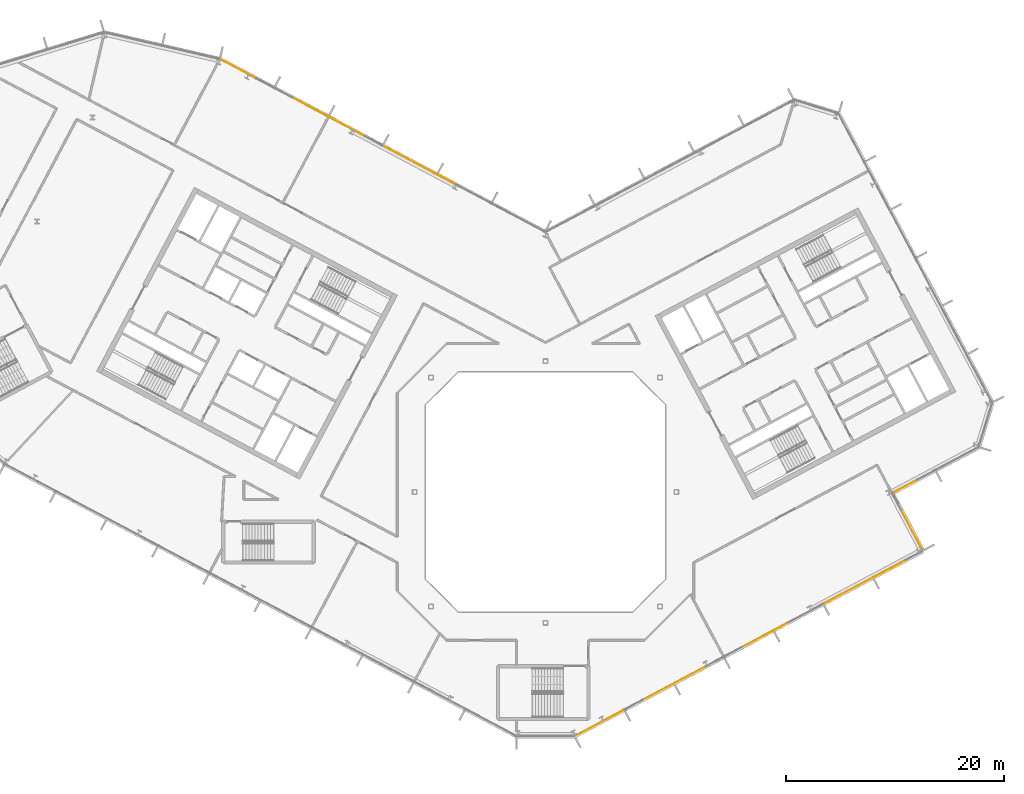
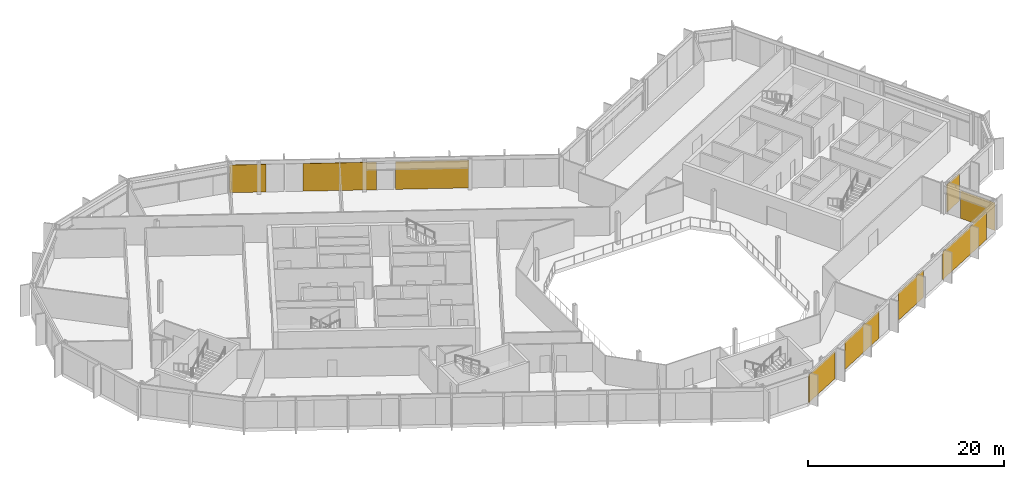
# One storey, part 24 of 26: 9 coverings, 4 elements without a shape of their own.
"""IFC4 building model written with IfcOpenShell, lengths in metres."""

import ifcopenshell
import ifcopenshell.guid

model = None  # the IFC model being written
_history = None  # IfcOwnerHistory: only IFC2X3 demands one
_inside = {}  # id of a spatial element -> (the spatial element, [elements in it])
_under = {}  # id of a project, library or spatial element -> (it, [spatial elements below it])
_declared = {}  # id of a project -> (the project, [libraries it declares])
_typed = {}  # id of a type object -> (the type object, [elements of that type])
_made_of = {}  # id of a material, layer set ... -> (it, [elements and type objects made of it])


def new_model(schema):
    """Start an empty IFC model of exactly this schema.

    Asked for "IFC4X3", IfcOpenShell would pick the latest addendum, in which some entities
    have other attributes; the version numbers below select the first issue.
    IFC2X3 requires an IfcOwnerHistory on every rooted entity: one is made here for all.
    """
    global model, _history
    if schema == "IFC4X3":
        model = ifcopenshell.file(schema_version=(4, 3, 0, 0))
    else:
        model = ifcopenshell.file(schema=schema)
    _inside.clear()
    _under.clear()
    _declared.clear()
    _typed.clear()
    _made_of.clear()
    _history = None
    if model.schema == "IFC2X3":
        org = make("IfcOrganization", Name="unknown")
        user = make(
            "IfcPersonAndOrganization",
            ThePerson=make("IfcPerson", FamilyName="unknown"),
            TheOrganization=org,
        )
        app = make(
            "IfcApplication",
            ApplicationDeveloper=org,
            Version="unknown",
            ApplicationFullName="unknown",
            ApplicationIdentifier="unknown",
        )
        _history = make(
            "IfcOwnerHistory",
            OwningUser=user,
            OwningApplication=app,
            ChangeAction="ADDED",
            CreationDate=0,
        )
    return model


def make(cls, **values):
    """One entity of the class cls with the attributes given. An attribute that is None is left unset."""
    return model.create_entity(
        cls, **{name: value for name, value in values.items() if value is not None}
    )


def rooted(cls, **values):
    """An entity with a GlobalId (a new one), such as an element, a storey or a relation."""
    return make(cls, GlobalId=ifcopenshell.guid.new(), OwnerHistory=_history, **values)


def si_unit(unit_type, name, prefix=None):
    """IfcSIUnit, for example si_unit("LENGTHUNIT", "METRE", prefix="MILLI")."""
    return make("IfcSIUnit", UnitType=unit_type, Prefix=prefix, Name=name)


def assignment(units):
    """IfcUnitAssignment: the units of a project."""
    return None if units is None else make("IfcUnitAssignment", Units=units)


def point(xyz):
    """IfcCartesianPoint."""
    return None if xyz is None else make("IfcCartesianPoint", Coordinates=xyz)


def direction(xyz):
    """IfcDirection."""
    return None if xyz is None else make("IfcDirection", DirectionRatios=xyz)


def frame(location, z_axis=None, x_axis=None):
    """IfcAxis2Placement3D, a coordinate frame: its origin and axes. An axis left out is left unset."""
    return make(
        "IfcAxis2Placement3D",
        Location=point(location),
        Axis=direction(z_axis),
        RefDirection=direction(x_axis),
    )


def frame_2d(location, x_axis=None):
    """IfcAxis2Placement2D, a coordinate frame in the plane: its origin and x axis."""
    return make(
        "IfcAxis2Placement2D", Location=point(location), RefDirection=direction(x_axis)
    )


def origin():
    """The frame at (0, 0, 0) with its axes left unset."""
    return frame((0.0, 0.0, 0.0))


def origin_2d():
    """The frame at (0, 0) in the plane with its x axis left unset."""
    return frame_2d((0.0, 0.0))


def place(relative_to, where):
    """IfcLocalPlacement: puts the frame where relative to a parent placement (None: the world)."""
    return make(
        "IfcLocalPlacement", PlacementRelTo=relative_to, RelativePlacement=where
    )


def context(
    kind, dimensions, precision=None, world=None, true_north=None, identifier=None
):
    """IfcGeometricRepresentationContext, for example the 3D "Model" context."""
    return make(
        "IfcGeometricRepresentationContext",
        ContextIdentifier=identifier,
        ContextType=kind,
        CoordinateSpaceDimension=dimensions,
        Precision=precision,
        WorldCoordinateSystem=world,
        TrueNorth=true_north,
    )


def subcontext(parent, identifier, kind, view, scale=None):
    """IfcGeometricRepresentationSubContext, for example "Body" below "Model"."""
    return make(
        "IfcGeometricRepresentationSubContext",
        ContextIdentifier=identifier,
        ContextType=kind,
        ParentContext=parent,
        TargetScale=scale,
        TargetView=view,
    )


def project(units=None, contexts=None):
    """IfcProject with its units and contexts."""
    return rooted(
        "IfcProject",
        Name="project",
        RepresentationContexts=contexts,
        UnitsInContext=assignment(units),
    )


def spatial(cls, under=None, at=None, **own):
    """A site, building, storey or space (cls), placed at a placement, below another one or the project."""
    s = rooted(cls, ObjectPlacement=at, **own)
    if under is not None:
        _under.setdefault(under.id(), (under, []))[1].append(s)
    return s


def profile(cls, at=None, kind="AREA", **sizes):
    """A parametric profile (cls). Its sizes go by their IFC names, for example OverallWidth=200.0."""
    return make(cls, ProfileType=kind, Position=at, **sizes)


def rectangle(**sizes):
    """IfcRectangleProfileDef."""
    return profile("IfcRectangleProfileDef", **sizes)


def extrude(swept, where, along, depth):
    """IfcExtrudedAreaSolid: the profile swept, set in the frame where, extruded along a direction by depth."""
    return make(
        "IfcExtrudedAreaSolid",
        SweptArea=swept,
        Position=where,
        ExtrudedDirection=direction(along),
        Depth=depth,
    )


def shape(context_of_items, identifier, shape_type, items):
    """IfcShapeRepresentation: the items that make up one representation, for example the "Body"."""
    return make(
        "IfcShapeRepresentation",
        ContextOfItems=context_of_items,
        RepresentationIdentifier=identifier,
        RepresentationType=shape_type,
        Items=items,
    )


def material(Name=None, Category=None):
    """IfcMaterial."""
    return make("IfcMaterial", Name=Name, Category=Category)


def layer(
    of_material, thickness, ventilated=None, Name=None, Category=None, Priority=None
):
    """IfcMaterialLayer: one layer of a wall or slab, of a material (None: an air gap)."""
    return make(
        "IfcMaterialLayer",
        Material=of_material,
        LayerThickness=thickness,
        IsVentilated=ventilated,
        Name=Name,
        Category=Category,
        Priority=Priority,
    )


def layer_set(layers, Name=None):
    """IfcMaterialLayerSet."""
    return make("IfcMaterialLayerSet", MaterialLayers=layers, LayerSetName=Name)


def made_of(thing, what):
    """Note that an element or type object is made of a material, layer set ...; save() writes the relation."""
    if what is not None:
        _made_of.setdefault(what.id(), (what, []))[1].append(thing)
    return thing


def type_object(cls, material=None, **own):
    """A type object (cls), such as IfcWallType, which elements share."""
    return made_of(rooted(cls, **own), material)


def element(
    cls,
    number,
    at=None,
    inside=None,
    cuts=None,
    type_object=None,
    material=None,
    context=None,
    identifier="Body",
    shape_type=None,
    held_by="IfcProductDefinitionShape",
    body=None,
    shapes=None,
    **own,
):
    """One element of the class cls, such as IfcWall. Its Tag is "e" and its number.

    at: its placement. inside: the storey or other place that contains it. cuts: it is an
    opening in that element (IfcRelVoidsElement). A single representation is given by context,
    identifier, shape_type and body (its items); several are given by shapes. held_by: the class
    of the entity that holds the representations. save() writes the other relations.
    """
    e = rooted(cls, Tag="e%d" % number, ObjectPlacement=at, **own)
    if body is not None:
        shapes = [shape(context, identifier, shape_type, body)]
    if shapes is not None:
        e.Representation = make(held_by, Representations=shapes)
    if inside is not None:
        _inside.setdefault(inside.id(), (inside, []))[1].append(e)
    if cuts is not None:
        rooted(
            "IfcRelVoidsElement", RelatingBuildingElement=cuts, RelatedOpeningElement=e
        )
    if type_object is not None:
        _typed.setdefault(type_object.id(), (type_object, []))[1].append(e)
    return made_of(e, material)


def aggregate(whole, parts):
    """IfcRelAggregates: a whole, such as a stair, and the parts it consists of."""
    return rooted("IfcRelAggregates", RelatingObject=whole, RelatedObjects=parts)


def save(model, path):
    """Write the relations noted so far, then the file.

    IfcRelAggregates (storeys below a building ...), IfcRelContainedInSpatialStructure (elements
    in a storey), IfcRelDefinesByType, IfcRelAssociatesMaterial and IfcRelDeclares: one each for
    every whole, place, type object, material and project.
    """
    for whole, parts in _under.values():
        aggregate(whole, parts)
    for where, things in _inside.values():
        rooted(
            "IfcRelContainedInSpatialStructure",
            RelatedElements=things,
            RelatingStructure=where,
        )
    for kind, things in _typed.values():
        rooted("IfcRelDefinesByType", RelatedObjects=things, RelatingType=kind)
    for what, things in _made_of.values():
        rooted("IfcRelAssociatesMaterial", RelatedObjects=things, RelatingMaterial=what)
    for by, libraries in _declared.values():
        rooted("IfcRelDeclares", RelatingContext=by, RelatedDefinitions=libraries)
    model.write(path)


model = new_model("IFC4")

# Units and contexts
model_context = context("Model", 3, precision=1e-05, world=origin(), true_north=direction((0.0, 1.0)))
body_context = subcontext(model_context, "Body", "Model", "MODEL_VIEW")
ifc_project = project(units=[si_unit("LENGTHUNIT", "METRE"), si_unit("AREAUNIT", "SQUARE_METRE"), si_unit("VOLUMEUNIT", "CUBIC_METRE"), si_unit("PLANEANGLEUNIT", "RADIAN"), si_unit("MASSUNIT", "GRAM", prefix="KILO")], contexts=[model_context])

# Site, building, storey
site_placement = place(None, origin())
site = spatial("IfcSite", under=ifc_project, at=site_placement, CompositionType="ELEMENT")
building_placement = place(site_placement, origin())
building = spatial("IfcBuilding", under=site, at=building_placement, Name="Cormorant Relay Tower", CompositionType="ELEMENT")
storey_placement = place(building_placement, frame((0.0, 0.0, 320.39990234375)))
storey = spatial("IfcBuildingStorey", under=building, at=storey_placement, Name="L73", CompositionType="ELEMENT", Elevation=320.39990234375)

# Curtain wall, coverings
ifc_material_1 = material(Name="Aluminium 6063-T6 anodised bronze", Category="aluminium")
ifc_layer_1 = layer(ifc_material_1, 0.199951171875)
ifc_layer_set_1 = layer_set([ifc_layer_1], Name="CW1 unitised bronze curtain wall with vertical fins")
curtain_wall_type = type_object("IfcCurtainWallType", Name="CW1 unitised bronze curtain wall with vertical fins", PredefinedType="NOTDEFINED", material=ifc_layer_set_1)
curtain_wall_1_placement = place(storey_placement, origin())
curtain_wall_1 = element("IfcCurtainWall", 1, at=curtain_wall_1_placement, inside=storey, type_object=curtain_wall_type, Name="CW1 curtain wall 2", PredefinedType="NOTDEFINED")
ifc_material_2 = material(Name="Pale bronze anodised aluminium insulated panel", Category="aluminium")
ifc_layer_2 = layer(ifc_material_2, 0.0400390625)
ifc_layer_set_2 = layer_set([ifc_layer_2], Name="CW1 pale bronze insulated panel 40")
covering_type = type_object("IfcCoveringType", Name="CW1 pale bronze insulated panel 40", PredefinedType="CLADDING", material=ifc_layer_set_2)
covering_1_placement = place(storey_placement, frame((4.939208984375, -21.180419921875, 0.0), z_axis=(0.0, 0.0, 1.0), x_axis=(0.882947592859, 0.469471562786, 0.0)))
covering_1 = element("IfcCovering", 2, at=covering_1_placement, type_object=covering_type, Name="CW1 panel S00", PredefinedType="CLADDING", context=body_context, shape_type="SweptSolid", body=[
    extrude(rectangle(XDim=5.0166015625, YDim=0.0400390625, at=origin_2d()), origin(), (0.0, 0.0, 1.0), 3.449951171875),
])
covering_2_placement = place(storey_placement, frame((11.78173828125, -17.5419921875, 0.0), z_axis=(0.0, 0.0, 1.0), x_axis=(0.882947592859, 0.469471562786, 0.0)))
covering_2 = element("IfcCovering", 3, at=covering_2_placement, type_object=covering_type, Name="CW1 panel S02", PredefinedType="CLADDING", context=body_context, shape_type="SweptSolid", body=[
    extrude(rectangle(XDim=6.5830078125, YDim=0.0400390625, at=origin_2d()), origin(), (0.0, 0.0, 1.0), 3.449951171875),
])
covering_3_placement = place(storey_placement, frame((20.11083984375, -13.113525390625, 0.0), z_axis=(0.0, 0.0, 1.0), x_axis=(0.882947592859, 0.469471562786, 0.0)))
covering_3 = element("IfcCovering", 4, at=covering_3_placement, type_object=covering_type, Name="CW1 panel S05", PredefinedType="CLADDING", context=body_context, shape_type="SweptSolid", body=[
    extrude(rectangle(XDim=4.783203125, YDim=0.0400390625, at=origin_2d()), origin(), (0.0, 0.0, 1.0), 3.449951171875),
])
covering_4_placement = place(storey_placement, frame((29.267578125, -8.244873046875, 0.0), z_axis=(0.0, 0.0, 1.0), x_axis=(0.882947592859, 0.469471562786, 0.0)))
covering_4 = element("IfcCovering", 5, at=covering_4_placement, type_object=covering_type, Name="CW1 panel S07", PredefinedType="CLADDING", context=body_context, shape_type="SweptSolid", body=[
    extrude(rectangle(XDim=8.4580078125, YDim=0.0400390625, at=origin_2d()), origin(), (0.0, 0.0, 1.0), 3.449951171875),
])
aggregate(curtain_wall_1, [covering_1, covering_2, covering_3, covering_4])

# Curtain wall, covering
curtain_wall_2_placement = place(storey_placement, origin())
curtain_wall_2 = element("IfcCurtainWall", 6, at=curtain_wall_2_placement, inside=storey, type_object=curtain_wall_type, Name="CW1 curtain wall 3", PredefinedType="NOTDEFINED")
covering_5_placement = place(storey_placement, frame((33.595703125, -3.5, 0.0), z_axis=(0.0, 0.0, 1.0), x_axis=(-0.469471562786, 0.882947592859, 0.0)))
covering_5 = element("IfcCovering", 7, at=covering_5_placement, type_object=covering_type, Name="CW1 panel S00", PredefinedType="CLADDING", context=body_context, shape_type="SweptSolid", body=[
    extrude(rectangle(XDim=4.125, YDim=0.0400390625, at=origin_2d()), origin(), (0.0, 0.0, 1.0), 3.449951171875),
])
aggregate(curtain_wall_2, [covering_5])

curtain_wall_3_placement = place(storey_placement, origin())
curtain_wall_3 = element("IfcCurtainWall", 8, at=curtain_wall_3_placement, inside=storey, type_object=curtain_wall_type, Name="CW1 curtain wall 4", PredefinedType="NOTDEFINED")
covering_6_placement = place(storey_placement, frame((32.9990234375, 0.53466796875, 0.0), z_axis=(0.0, 0.0, 1.0), x_axis=(0.882947592859, 0.469471562786, 0.0)))
covering_6 = element("IfcCovering", 9, at=covering_6_placement, type_object=covering_type, Name="CW1 panel S00", PredefinedType="CLADDING", context=body_context, shape_type="SweptSolid", body=[
    extrude(rectangle(XDim=2.47509765625, YDim=0.0400390625, at=origin_2d()), origin(), (0.0, 0.0, 1.0), 3.449951171875),
])
aggregate(curtain_wall_3, [covering_6])

# Curtain wall, coverings
curtain_wall_4_placement = place(storey_placement, origin())
curtain_wall_4 = element("IfcCurtainWall", 10, at=curtain_wall_4_placement, inside=storey, type_object=curtain_wall_type, Name="CW1 curtain wall 9", PredefinedType="NOTDEFINED")
covering_7_placement = place(storey_placement, frame((-11.537841796875, 29.94140625, 0.0), z_axis=(0.0, 0.0, 1.0), x_axis=(-0.882947592859, 0.469471562786, 0.0)))
covering_7 = element("IfcCovering", 11, at=covering_7_placement, type_object=covering_type, Name="CW1 panel S03", PredefinedType="CLADDING", context=body_context, shape_type="SweptSolid", body=[
    extrude(rectangle(XDim=7.528076171875, YDim=0.0400390625, at=origin_2d()), origin(), (0.0, 0.0, 1.0), 3.449951171875),
])
covering_8_placement = place(storey_placement, frame((-19.906494140625, 34.39111328125, 0.0), z_axis=(0.0, 0.0, 1.0), x_axis=(-0.882947592859, 0.469471562786, 0.0)))
covering_8 = element("IfcCovering", 12, at=covering_8_placement, type_object=covering_type, Name="CW1 panel S05", PredefinedType="CLADDING", context=body_context, shape_type="SweptSolid", body=[
    extrude(rectangle(XDim=7.528076171875, YDim=0.0400390625, at=origin_2d()), origin(), (0.0, 0.0, 1.0), 3.449951171875),
])
covering_9_placement = place(storey_placement, frame((-28.20263671875, 38.80224609375, 0.0), z_axis=(0.0, 0.0, 1.0), x_axis=(-0.882947592859, 0.469471562786, 0.0)))
covering_9 = element("IfcCovering", 13, at=covering_9_placement, type_object=covering_type, Name="CW1 panel S08", PredefinedType="CLADDING", context=body_context, shape_type="SweptSolid", body=[
    extrude(rectangle(XDim=3.763916015625, YDim=0.0400390625, at=origin_2d()), origin(), (0.0, 0.0, 1.0), 3.449951171875),
])
aggregate(curtain_wall_4, [covering_7, covering_8, covering_9])

save(model, "model.ifc")
